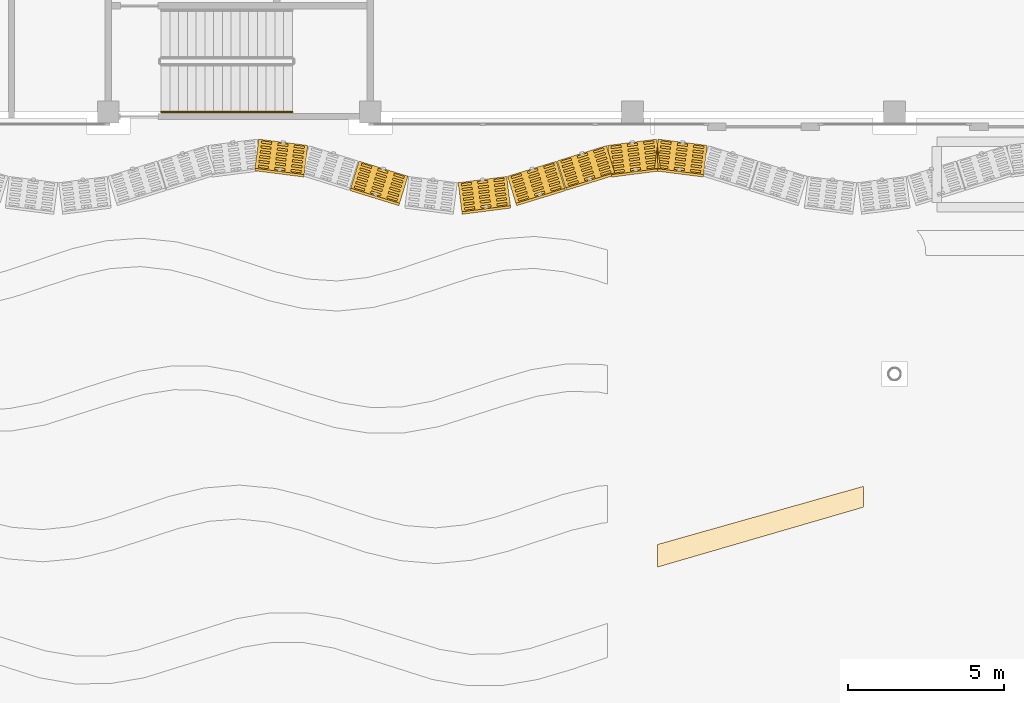
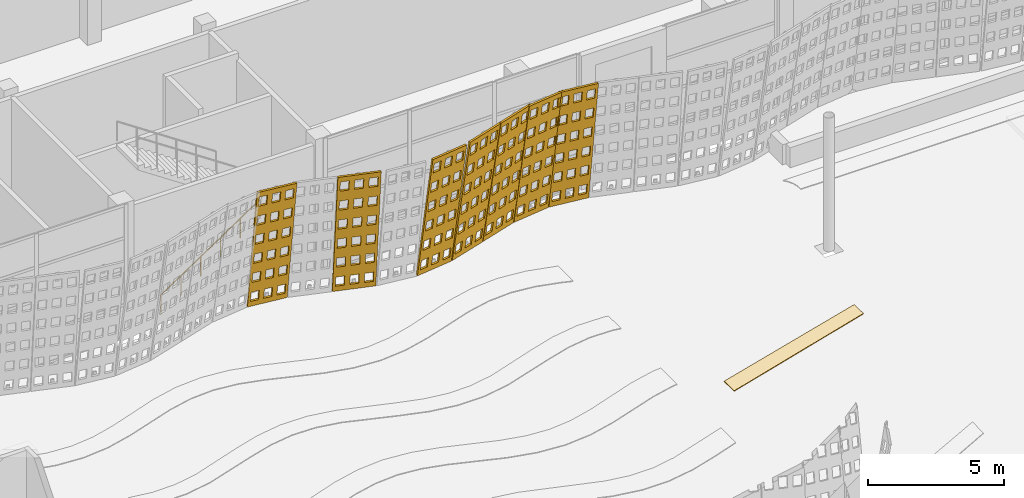
# One storey, part 169 of 210: 8 coverings, 1 railing.
"""IFC4 building model written with IfcOpenShell, lengths in metres."""

from ifc_helpers import new_model, si_unit, direction, frame, origin, origin_2d, place, context, subcontext, project, spatial, polyline, circle, outline, extrude, material, layer, layer_set, type_object, element, save


model = new_model("IFC4")

# Units and contexts
model_context = context("Model", 3, precision=1e-05, world=origin(), true_north=direction((0.0, 1.0)))
body_context = subcontext(model_context, "Body", "Model", "MODEL_VIEW")
ifc_project = project(units=[si_unit("LENGTHUNIT", "METRE"), si_unit("AREAUNIT", "SQUARE_METRE"), si_unit("VOLUMEUNIT", "CUBIC_METRE"), si_unit("PLANEANGLEUNIT", "RADIAN"), si_unit("MASSUNIT", "GRAM", prefix="KILO")], contexts=[model_context])

# Site, building, storey
site_placement = place(None, origin())
site = spatial("IfcSite", under=ifc_project, at=site_placement, CompositionType="ELEMENT")
building_placement = place(site_placement, origin())
building = spatial("IfcBuilding", under=site, at=building_placement, Name="Rain Tree Exposition and Congress Centre", CompositionType="ELEMENT")
storey_placement = place(building_placement, origin())
storey = spatial("IfcBuildingStorey", under=building, at=storey_placement, Name="L00", CompositionType="ELEMENT", Elevation=0.0)

# Railing
ifc_material_1 = material(Name="Aluminium handrail", Category="aluminium")
railing_type = type_object("IfcRailingType", Name="Concourse handrail 900", PredefinedType="HANDRAIL", material=ifc_material_1)
railing_placement = place(storey_placement, frame((35.300048828125, 75.60009765625, 0.1875)))
element("IfcRailing", 1, at=railing_placement, inside=storey, type_object=railing_type, Name="L00 ST-C1 stair handrail 1", PredefinedType="HANDRAIL", context=body_context, shape_type="SweptSolid", body=[
    extrude(circle(Radius=0.02392578125, at=origin_2d()), frame((0.0, 0.0, 0.8759765625), z_axis=(0.830904186295, 0.0, 0.556415522067), x_axis=(0.0, 1.0, 0.0)), (0.0, 0.0, 1.0), 5.0546875),
    extrude(circle(Radius=0.02099609375, at=origin_2d()), origin(), (0.0, 0.0, 1.0), 0.851806640625),
    extrude(circle(Radius=0.02099609375, at=origin_2d()), frame((0.840087890625, 0.0, 0.5625)), (0.0, 0.0, 1.0), 0.851806640625),
    extrude(circle(Radius=0.02099609375, at=origin_2d()), frame((1.679931640625, 0.0, 1.125)), (0.0, 0.0, 1.0), 0.851806640625),
    extrude(circle(Radius=0.02099609375, at=origin_2d()), frame((2.52001953125, 0.0, 1.6875)), (0.0, 0.0, 1.0), 0.851806640625),
    extrude(circle(Radius=0.02099609375, at=origin_2d()), frame((3.35986328125, 0.0, 2.25)), (0.0, 0.0, 1.0), 0.851806640625),
    extrude(circle(Radius=0.02099609375, at=origin_2d()), frame((4.199951171875, 0.0, 2.8125)), (0.0, 0.0, 1.0), 0.851806640625),
])

# Coverings
ifc_material_2 = material(Name="Granite paving", Category="masonry")
ifc_layer_1 = layer(ifc_material_2, 0.030029296875)
ifc_layer_set_1 = layer_set([ifc_layer_1], Name="Granite paving")
covering_type_1 = type_object("IfcCoveringType", Name="Granite paving inlay 30", PredefinedType="FLOORING", material=ifc_layer_set_1)
covering_1_placement = place(storey_placement, origin())
element("IfcCovering", 2, at=covering_1_placement, inside=storey, type_object=covering_type_1, Name="Granite paving inlay 1", PredefinedType="FLOORING", context=body_context, shape_type="SweptSolid", body=[
    extrude(outline(polyline([(57.800048828125, 62.935791015625), (57.800048828125, 63.603271484375), (51.199951171875, 61.738525390625), (51.199951171875, 61.015625), (55.404296875, 62.23876953125), (57.800048828125, 62.935791015625)])), origin(), (0.0, 0.0, 1.0), 0.030029296875),
])
ifc_material_3 = material(Name="Perforated terracotta", Category="masonry")
ifc_layer_2 = layer(ifc_material_3, 0.080078125)
ifc_layer_set_2 = layer_set([ifc_layer_2], Name="Perforated terracotta")
covering_type_2 = type_object("IfcCoveringType", Name="Terracotta screen 80", PredefinedType="CLADDING", material=ifc_layer_set_2)
covering_2_placement = place(storey_placement, frame((38.39990234375, 74.64990234375, 0.0), z_axis=(0.125030801275, 0.978899688033, 0.161625182136), x_axis=(-0.991941518713, 0.126696580272, 0.0)))
element("IfcCovering", 3, at=covering_2_placement, inside=storey, type_object=covering_type_2, Name="concourse/screen/L00/025", PredefinedType="CLADDING", context=body_context, shape_type="SweptSolid", body=[
    extrude(outline(polyline([(-0.014892578125, 0.0), (-1.59814453125, 0.0), (-1.59814453125, 5.813720703125), (-0.014892578125, 5.813720703125), (-0.014892578125, 0.0)]), holes=[polyline([(-0.115234375, 0.25), (-0.115234375, 0.718994140625), (-0.4423828125, 0.718994140625), (-0.4423828125, 0.25), (-0.115234375, 0.25)]), polyline([(-0.115234375, 1.218994140625), (-0.115234375, 1.687744140625), (-0.4423828125, 1.687744140625), (-0.4423828125, 1.218994140625), (-0.115234375, 1.218994140625)]), polyline([(-0.115234375, 2.18798828125), (-0.115234375, 2.65673828125), (-0.4423828125, 2.65673828125), (-0.4423828125, 2.18798828125), (-0.115234375, 2.18798828125)]), polyline([(-0.115234375, 3.156982421875), (-0.115234375, 3.625732421875), (-0.4423828125, 3.625732421875), (-0.4423828125, 3.156982421875), (-0.115234375, 3.156982421875)]), polyline([(-0.115234375, 4.125732421875), (-0.115234375, 4.594482421875), (-0.4423828125, 4.594482421875), (-0.4423828125, 4.125732421875), (-0.115234375, 4.125732421875)]), polyline([(-0.115234375, 5.0947265625), (-0.115234375, 5.563720703125), (-0.4423828125, 5.563720703125), (-0.4423828125, 5.0947265625), (-0.115234375, 5.0947265625)]), polyline([(-0.64306640625, 0.25), (-0.64306640625, 0.718994140625), (-0.97021484375, 0.718994140625), (-0.97021484375, 0.25), (-0.64306640625, 0.25)]), polyline([(-0.64306640625, 1.218994140625), (-0.64306640625, 1.687744140625), (-0.97021484375, 1.687744140625), (-0.97021484375, 1.218994140625), (-0.64306640625, 1.218994140625)]), polyline([(-0.64306640625, 2.18798828125), (-0.64306640625, 2.65673828125), (-0.97021484375, 2.65673828125), (-0.97021484375, 2.18798828125), (-0.64306640625, 2.18798828125)]), polyline([(-0.64306640625, 3.156982421875), (-0.64306640625, 3.625732421875), (-0.97021484375, 3.625732421875), (-0.97021484375, 3.156982421875), (-0.64306640625, 3.156982421875)]), polyline([(-0.64306640625, 4.125732421875), (-0.64306640625, 4.594482421875), (-0.97021484375, 4.594482421875), (-0.97021484375, 4.125732421875), (-0.64306640625, 4.125732421875)]), polyline([(-0.64306640625, 5.0947265625), (-0.64306640625, 5.563720703125), (-0.97021484375, 5.563720703125), (-0.97021484375, 5.0947265625), (-0.64306640625, 5.0947265625)]), polyline([(-1.170654296875, 0.25), (-1.170654296875, 0.718994140625), (-1.497802734375, 0.718994140625), (-1.497802734375, 0.25), (-1.170654296875, 0.25)]), polyline([(-1.170654296875, 1.218994140625), (-1.170654296875, 1.687744140625), (-1.497802734375, 1.687744140625), (-1.497802734375, 1.218994140625), (-1.170654296875, 1.218994140625)]), polyline([(-1.170654296875, 2.18798828125), (-1.170654296875, 2.65673828125), (-1.497802734375, 2.65673828125), (-1.497802734375, 2.18798828125), (-1.170654296875, 2.18798828125)]), polyline([(-1.170654296875, 3.156982421875), (-1.170654296875, 3.625732421875), (-1.497802734375, 3.625732421875), (-1.497802734375, 3.156982421875), (-1.170654296875, 3.156982421875)]), polyline([(-1.170654296875, 4.125732421875), (-1.170654296875, 4.594482421875), (-1.497802734375, 4.594482421875), (-1.497802734375, 4.125732421875), (-1.170654296875, 4.125732421875)]), polyline([(-1.170654296875, 5.0947265625), (-1.170654296875, 5.563720703125), (-1.497802734375, 5.563720703125), (-1.497802734375, 5.0947265625), (-1.170654296875, 5.0947265625)])]), origin(), (0.0, 0.0, 1.0), 0.080078125),
])
covering_3_placement = place(storey_placement, frame((41.60009765625, 73.949951171875, 0.0), z_axis=(0.290278371326, 0.94416859726, 0.155833651975), x_axis=(-0.955845867297, 0.293868470528, 0.0)))
element("IfcCovering", 4, at=covering_3_placement, inside=storey, type_object=covering_type_2, Name="concourse/screen/L00/027", PredefinedType="CLADDING", context=body_context, shape_type="SweptSolid", body=[
    extrude(outline(polyline([(-0.014892578125, 0.0), (-1.65283203125, 0.0), (-1.65283203125, 5.80859375), (-0.014892578125, 5.80859375), (-0.014892578125, 0.0)]), holes=[polyline([(-0.11865234375, 0.249755859375), (-0.11865234375, 0.71826171875), (-0.457275390625, 0.71826171875), (-0.457275390625, 0.249755859375), (-0.11865234375, 0.249755859375)]), polyline([(-0.11865234375, 1.218017578125), (-0.11865234375, 1.686279296875), (-0.457275390625, 1.686279296875), (-0.457275390625, 1.218017578125), (-0.11865234375, 1.218017578125)]), polyline([(-0.11865234375, 2.18603515625), (-0.11865234375, 2.654541015625), (-0.457275390625, 2.654541015625), (-0.457275390625, 2.18603515625), (-0.11865234375, 2.18603515625)]), polyline([(-0.11865234375, 3.154052734375), (-0.11865234375, 3.62255859375), (-0.457275390625, 3.62255859375), (-0.457275390625, 3.154052734375), (-0.11865234375, 3.154052734375)]), polyline([(-0.11865234375, 4.122314453125), (-0.11865234375, 4.5908203125), (-0.457275390625, 4.5908203125), (-0.457275390625, 4.122314453125), (-0.11865234375, 4.122314453125)]), polyline([(-0.11865234375, 5.09033203125), (-0.11865234375, 5.558837890625), (-0.457275390625, 5.558837890625), (-0.457275390625, 5.09033203125), (-0.11865234375, 5.09033203125)]), polyline([(-0.664794921875, 0.249755859375), (-0.664794921875, 0.71826171875), (-1.003173828125, 0.71826171875), (-1.003173828125, 0.249755859375), (-0.664794921875, 0.249755859375)]), polyline([(-0.664794921875, 1.218017578125), (-0.664794921875, 1.686279296875), (-1.003173828125, 1.686279296875), (-1.003173828125, 1.218017578125), (-0.664794921875, 1.218017578125)]), polyline([(-0.664794921875, 2.18603515625), (-0.664794921875, 2.654541015625), (-1.003173828125, 2.654541015625), (-1.003173828125, 2.18603515625), (-0.664794921875, 2.18603515625)]), polyline([(-0.664794921875, 3.154052734375), (-0.664794921875, 3.62255859375), (-1.003173828125, 3.62255859375), (-1.003173828125, 3.154052734375), (-0.664794921875, 3.154052734375)]), polyline([(-0.664794921875, 4.122314453125), (-0.664794921875, 4.5908203125), (-1.003173828125, 4.5908203125), (-1.003173828125, 4.122314453125), (-0.664794921875, 4.122314453125)]), polyline([(-0.664794921875, 5.09033203125), (-0.664794921875, 5.558837890625), (-1.003173828125, 5.558837890625), (-1.003173828125, 5.09033203125), (-0.664794921875, 5.09033203125)]), polyline([(-1.210693359375, 0.249755859375), (-1.210693359375, 0.71826171875), (-1.54931640625, 0.71826171875), (-1.54931640625, 0.249755859375), (-1.210693359375, 0.249755859375)]), polyline([(-1.210693359375, 1.218017578125), (-1.210693359375, 1.686279296875), (-1.54931640625, 1.686279296875), (-1.54931640625, 1.218017578125), (-1.210693359375, 1.218017578125)]), polyline([(-1.210693359375, 2.18603515625), (-1.210693359375, 2.654541015625), (-1.54931640625, 2.654541015625), (-1.54931640625, 2.18603515625), (-1.210693359375, 2.18603515625)]), polyline([(-1.210693359375, 3.154052734375), (-1.210693359375, 3.62255859375), (-1.54931640625, 3.62255859375), (-1.54931640625, 3.154052734375), (-1.210693359375, 3.154052734375)]), polyline([(-1.210693359375, 4.122314453125), (-1.210693359375, 4.5908203125), (-1.54931640625, 4.5908203125), (-1.54931640625, 4.122314453125), (-1.210693359375, 4.122314453125)]), polyline([(-1.210693359375, 5.09033203125), (-1.210693359375, 5.558837890625), (-1.54931640625, 5.558837890625), (-1.54931640625, 5.09033203125), (-1.210693359375, 5.09033203125)])]), origin(), (0.0, 0.0, 1.0), 0.079833984375),
])
covering_4_placement = place(storey_placement, frame((44.800048828125, 73.25, 0.0), z_axis=(-0.125030801275, 0.978899688033, 0.161625182136), x_axis=(-0.991941518713, -0.126696580272, 0.0)))
element("IfcCovering", 5, at=covering_4_placement, inside=storey, type_object=covering_type_2, Name="concourse/screen/L00/029", PredefinedType="CLADDING", context=body_context, shape_type="SweptSolid", body=[
    extrude(outline(polyline([(-0.025146484375, 0.0), (-1.59130859375, 0.0), (-1.59130859375, 5.813720703125), (-0.025146484375, 5.813720703125), (-0.025146484375, 0.0)]), holes=[polyline([(-0.12451171875, 0.25), (-0.12451171875, 0.718994140625), (-0.447998046875, 0.718994140625), (-0.447998046875, 0.25), (-0.12451171875, 0.25)]), polyline([(-0.12451171875, 1.218994140625), (-0.12451171875, 1.687744140625), (-0.447998046875, 1.687744140625), (-0.447998046875, 1.218994140625), (-0.12451171875, 1.218994140625)]), polyline([(-0.12451171875, 2.18798828125), (-0.12451171875, 2.65673828125), (-0.447998046875, 2.65673828125), (-0.447998046875, 2.18798828125), (-0.12451171875, 2.18798828125)]), polyline([(-0.12451171875, 3.156982421875), (-0.12451171875, 3.625732421875), (-0.447998046875, 3.625732421875), (-0.447998046875, 3.156982421875), (-0.12451171875, 3.156982421875)]), polyline([(-0.12451171875, 4.125732421875), (-0.12451171875, 4.594482421875), (-0.447998046875, 4.594482421875), (-0.447998046875, 4.125732421875), (-0.12451171875, 4.125732421875)]), polyline([(-0.12451171875, 5.0947265625), (-0.12451171875, 5.563720703125), (-0.447998046875, 5.563720703125), (-0.447998046875, 5.0947265625), (-0.12451171875, 5.0947265625)]), polyline([(-0.646484375, 0.25), (-0.646484375, 0.718994140625), (-0.969970703125, 0.718994140625), (-0.969970703125, 0.25), (-0.646484375, 0.25)]), polyline([(-0.646484375, 1.218994140625), (-0.646484375, 1.687744140625), (-0.969970703125, 1.687744140625), (-0.969970703125, 1.218994140625), (-0.646484375, 1.218994140625)]), polyline([(-0.646484375, 2.18798828125), (-0.646484375, 2.65673828125), (-0.969970703125, 2.65673828125), (-0.969970703125, 2.18798828125), (-0.646484375, 2.18798828125)]), polyline([(-0.646484375, 3.156982421875), (-0.646484375, 3.625732421875), (-0.969970703125, 3.625732421875), (-0.969970703125, 3.156982421875), (-0.646484375, 3.156982421875)]), polyline([(-0.646484375, 4.125732421875), (-0.646484375, 4.594482421875), (-0.969970703125, 4.594482421875), (-0.969970703125, 4.125732421875), (-0.646484375, 4.125732421875)]), polyline([(-0.646484375, 5.0947265625), (-0.646484375, 5.563720703125), (-0.969970703125, 5.563720703125), (-0.969970703125, 5.0947265625), (-0.646484375, 5.0947265625)]), polyline([(-1.16845703125, 0.25), (-1.16845703125, 0.718994140625), (-1.491943359375, 0.718994140625), (-1.491943359375, 0.25), (-1.16845703125, 0.25)]), polyline([(-1.16845703125, 1.218994140625), (-1.16845703125, 1.687744140625), (-1.491943359375, 1.687744140625), (-1.491943359375, 1.218994140625), (-1.16845703125, 1.218994140625)]), polyline([(-1.16845703125, 2.18798828125), (-1.16845703125, 2.65673828125), (-1.491943359375, 2.65673828125), (-1.491943359375, 2.18798828125), (-1.16845703125, 2.18798828125)]), polyline([(-1.16845703125, 3.156982421875), (-1.16845703125, 3.625732421875), (-1.491943359375, 3.625732421875), (-1.491943359375, 3.156982421875), (-1.16845703125, 3.156982421875)]), polyline([(-1.16845703125, 4.125732421875), (-1.16845703125, 4.594482421875), (-1.491943359375, 4.594482421875), (-1.491943359375, 4.125732421875), (-1.16845703125, 4.125732421875)]), polyline([(-1.16845703125, 5.0947265625), (-1.16845703125, 5.563720703125), (-1.491943359375, 5.563720703125), (-1.491943359375, 5.0947265625), (-1.16845703125, 5.0947265625)])]), origin(), (0.0, 0.0, 1.0), 0.080078125),
])
covering_5_placement = place(storey_placement, frame((46.39990234375, 73.455078125, 0.0), z_axis=(-0.290278371326, 0.94416859726, 0.155833651975), x_axis=(-0.955845867297, -0.293868470528, 0.0)))
element("IfcCovering", 6, at=covering_5_placement, inside=storey, type_object=covering_type_2, Name="concourse/screen/L00/030", PredefinedType="CLADDING", context=body_context, shape_type="SweptSolid", body=[
    extrude(outline(polyline([(-0.02197265625, 0.0), (-1.659912109375, 0.0), (-1.659912109375, 5.80859375), (-0.02197265625, 5.80859375), (-0.02197265625, 0.0)]), holes=[polyline([(-0.125732421875, 0.249755859375), (-0.125732421875, 0.71826171875), (-0.464111328125, 0.71826171875), (-0.464111328125, 0.249755859375), (-0.125732421875, 0.249755859375)]), polyline([(-0.125732421875, 1.218017578125), (-0.125732421875, 1.686279296875), (-0.464111328125, 1.686279296875), (-0.464111328125, 1.218017578125), (-0.125732421875, 1.218017578125)]), polyline([(-0.125732421875, 2.18603515625), (-0.125732421875, 2.654541015625), (-0.464111328125, 2.654541015625), (-0.464111328125, 2.18603515625), (-0.125732421875, 2.18603515625)]), polyline([(-0.125732421875, 3.154052734375), (-0.125732421875, 3.62255859375), (-0.464111328125, 3.62255859375), (-0.464111328125, 3.154052734375), (-0.125732421875, 3.154052734375)]), polyline([(-0.125732421875, 4.122314453125), (-0.125732421875, 4.5908203125), (-0.464111328125, 4.5908203125), (-0.464111328125, 4.122314453125), (-0.125732421875, 4.122314453125)]), polyline([(-0.125732421875, 5.09033203125), (-0.125732421875, 5.558837890625), (-0.464111328125, 5.558837890625), (-0.464111328125, 5.09033203125), (-0.125732421875, 5.09033203125)]), polyline([(-0.671630859375, 0.249755859375), (-0.671630859375, 0.71826171875), (-1.010009765625, 0.71826171875), (-1.010009765625, 0.249755859375), (-0.671630859375, 0.249755859375)]), polyline([(-0.671630859375, 1.218017578125), (-0.671630859375, 1.686279296875), (-1.010009765625, 1.686279296875), (-1.010009765625, 1.218017578125), (-0.671630859375, 1.218017578125)]), polyline([(-0.671630859375, 2.18603515625), (-0.671630859375, 2.654541015625), (-1.010009765625, 2.654541015625), (-1.010009765625, 2.18603515625), (-0.671630859375, 2.18603515625)]), polyline([(-0.671630859375, 3.154052734375), (-0.671630859375, 3.62255859375), (-1.010009765625, 3.62255859375), (-1.010009765625, 3.154052734375), (-0.671630859375, 3.154052734375)]), polyline([(-0.671630859375, 4.122314453125), (-0.671630859375, 4.5908203125), (-1.010009765625, 4.5908203125), (-1.010009765625, 4.122314453125), (-0.671630859375, 4.122314453125)]), polyline([(-0.671630859375, 5.09033203125), (-0.671630859375, 5.558837890625), (-1.010009765625, 5.558837890625), (-1.010009765625, 5.09033203125), (-0.671630859375, 5.09033203125)]), polyline([(-1.217529296875, 0.249755859375), (-1.217529296875, 0.71826171875), (-1.55615234375, 0.71826171875), (-1.55615234375, 0.249755859375), (-1.217529296875, 0.249755859375)]), polyline([(-1.217529296875, 1.218017578125), (-1.217529296875, 1.686279296875), (-1.55615234375, 1.686279296875), (-1.55615234375, 1.218017578125), (-1.217529296875, 1.218017578125)]), polyline([(-1.217529296875, 2.18603515625), (-1.217529296875, 2.654541015625), (-1.55615234375, 2.654541015625), (-1.55615234375, 2.18603515625), (-1.217529296875, 2.18603515625)]), polyline([(-1.217529296875, 3.154052734375), (-1.217529296875, 3.62255859375), (-1.55615234375, 3.62255859375), (-1.55615234375, 3.154052734375), (-1.217529296875, 3.154052734375)]), polyline([(-1.217529296875, 4.122314453125), (-1.217529296875, 4.5908203125), (-1.55615234375, 4.5908203125), (-1.55615234375, 4.122314453125), (-1.217529296875, 4.122314453125)]), polyline([(-1.217529296875, 5.09033203125), (-1.217529296875, 5.558837890625), (-1.55615234375, 5.558837890625), (-1.55615234375, 5.09033203125), (-1.217529296875, 5.09033203125)])]), origin(), (0.0, 0.0, 1.0), 0.079833984375),
])
covering_6_placement = place(storey_placement, frame((48.0, 73.949951171875, 0.0), z_axis=(-0.293072736571, 0.943327870838, 0.155694891303), x_axis=(-0.954973588716, -0.296690823679, 0.0)))
element("IfcCovering", 7, at=covering_6_placement, inside=storey, type_object=covering_type_2, Name="concourse/screen/L00/031", PredefinedType="CLADDING", context=body_context, shape_type="SweptSolid", body=[
    extrude(outline(polyline([(-0.014892578125, 0.0), (-1.659912109375, 0.0), (-1.659912109375, 5.80859375), (-0.014892578125, 5.80859375), (-0.014892578125, 0.0)]), holes=[polyline([(-0.119140625, 0.249755859375), (-0.119140625, 0.71826171875), (-0.458984375, 0.71826171875), (-0.458984375, 0.249755859375), (-0.119140625, 0.249755859375)]), polyline([(-0.119140625, 1.218017578125), (-0.119140625, 1.686279296875), (-0.458984375, 1.686279296875), (-0.458984375, 1.218017578125), (-0.119140625, 1.218017578125)]), polyline([(-0.119140625, 2.18603515625), (-0.119140625, 2.654541015625), (-0.458984375, 2.654541015625), (-0.458984375, 2.18603515625), (-0.119140625, 2.18603515625)]), polyline([(-0.119140625, 3.154052734375), (-0.119140625, 3.62255859375), (-0.458984375, 3.62255859375), (-0.458984375, 3.154052734375), (-0.119140625, 3.154052734375)]), polyline([(-0.119140625, 4.122314453125), (-0.119140625, 4.5908203125), (-0.458984375, 4.5908203125), (-0.458984375, 4.122314453125), (-0.119140625, 4.122314453125)]), polyline([(-0.119140625, 5.09033203125), (-0.119140625, 5.558837890625), (-0.458984375, 5.558837890625), (-0.458984375, 5.09033203125), (-0.119140625, 5.09033203125)]), polyline([(-0.66748046875, 0.249755859375), (-0.66748046875, 0.71826171875), (-1.00732421875, 0.71826171875), (-1.00732421875, 0.249755859375), (-0.66748046875, 0.249755859375)]), polyline([(-0.66748046875, 1.218017578125), (-0.66748046875, 1.686279296875), (-1.00732421875, 1.686279296875), (-1.00732421875, 1.218017578125), (-0.66748046875, 1.218017578125)]), polyline([(-0.66748046875, 2.18603515625), (-0.66748046875, 2.654541015625), (-1.00732421875, 2.654541015625), (-1.00732421875, 2.18603515625), (-0.66748046875, 2.18603515625)]), polyline([(-0.66748046875, 3.154052734375), (-0.66748046875, 3.62255859375), (-1.00732421875, 3.62255859375), (-1.00732421875, 3.154052734375), (-0.66748046875, 3.154052734375)]), polyline([(-0.66748046875, 4.122314453125), (-0.66748046875, 4.5908203125), (-1.00732421875, 4.5908203125), (-1.00732421875, 4.122314453125), (-0.66748046875, 4.122314453125)]), polyline([(-0.66748046875, 5.09033203125), (-0.66748046875, 5.558837890625), (-1.00732421875, 5.558837890625), (-1.00732421875, 5.09033203125), (-0.66748046875, 5.09033203125)]), polyline([(-1.2158203125, 0.249755859375), (-1.2158203125, 0.71826171875), (-1.5556640625, 0.71826171875), (-1.5556640625, 0.249755859375), (-1.2158203125, 0.249755859375)]), polyline([(-1.2158203125, 1.218017578125), (-1.2158203125, 1.686279296875), (-1.5556640625, 1.686279296875), (-1.5556640625, 1.218017578125), (-1.2158203125, 1.218017578125)]), polyline([(-1.2158203125, 2.18603515625), (-1.2158203125, 2.654541015625), (-1.5556640625, 2.654541015625), (-1.5556640625, 2.18603515625), (-1.2158203125, 2.18603515625)]), polyline([(-1.2158203125, 3.154052734375), (-1.2158203125, 3.62255859375), (-1.5556640625, 3.62255859375), (-1.5556640625, 3.154052734375), (-1.2158203125, 3.154052734375)]), polyline([(-1.2158203125, 4.122314453125), (-1.2158203125, 4.5908203125), (-1.5556640625, 4.5908203125), (-1.5556640625, 4.122314453125), (-1.2158203125, 4.122314453125)]), polyline([(-1.2158203125, 5.09033203125), (-1.2158203125, 5.558837890625), (-1.5556640625, 5.558837890625), (-1.5556640625, 5.09033203125), (-1.2158203125, 5.09033203125)])]), origin(), (0.0, 0.0, 1.0), 0.080078125),
])
covering_7_placement = place(storey_placement, frame((49.60009765625, 74.445068359375, 0.0), z_axis=(-0.125405134464, 0.978771781185, 0.162109076259), x_axis=(-0.991891686382, -0.127086122318, 0.0)))
element("IfcCovering", 8, at=covering_7_placement, inside=storey, type_object=covering_type_2, Name="concourse/screen/L00/032", PredefinedType="CLADDING", context=body_context, shape_type="SweptSolid", body=[
    extrude(outline(polyline([(-0.014892578125, 0.0), (-1.59814453125, 0.0), (-1.59814453125, 5.813720703125), (-0.014892578125, 5.813720703125), (-0.014892578125, 0.0)]), holes=[polyline([(-0.115234375, 0.25), (-0.115234375, 0.718994140625), (-0.4423828125, 0.718994140625), (-0.4423828125, 0.25), (-0.115234375, 0.25)]), polyline([(-0.115234375, 1.218994140625), (-0.115234375, 1.687744140625), (-0.4423828125, 1.687744140625), (-0.4423828125, 1.218994140625), (-0.115234375, 1.218994140625)]), polyline([(-0.115234375, 2.18798828125), (-0.115234375, 2.65673828125), (-0.4423828125, 2.65673828125), (-0.4423828125, 2.18798828125), (-0.115234375, 2.18798828125)]), polyline([(-0.115234375, 3.156982421875), (-0.115234375, 3.625732421875), (-0.4423828125, 3.625732421875), (-0.4423828125, 3.156982421875), (-0.115234375, 3.156982421875)]), polyline([(-0.115234375, 4.125732421875), (-0.115234375, 4.594482421875), (-0.4423828125, 4.594482421875), (-0.4423828125, 4.125732421875), (-0.115234375, 4.125732421875)]), polyline([(-0.115234375, 5.0947265625), (-0.115234375, 5.563720703125), (-0.4423828125, 5.563720703125), (-0.4423828125, 5.0947265625), (-0.115234375, 5.0947265625)]), polyline([(-0.64306640625, 0.25), (-0.64306640625, 0.718994140625), (-0.97021484375, 0.718994140625), (-0.97021484375, 0.25), (-0.64306640625, 0.25)]), polyline([(-0.64306640625, 1.218994140625), (-0.64306640625, 1.687744140625), (-0.97021484375, 1.687744140625), (-0.97021484375, 1.218994140625), (-0.64306640625, 1.218994140625)]), polyline([(-0.64306640625, 2.18798828125), (-0.64306640625, 2.65673828125), (-0.97021484375, 2.65673828125), (-0.97021484375, 2.18798828125), (-0.64306640625, 2.18798828125)]), polyline([(-0.64306640625, 3.156982421875), (-0.64306640625, 3.625732421875), (-0.97021484375, 3.625732421875), (-0.97021484375, 3.156982421875), (-0.64306640625, 3.156982421875)]), polyline([(-0.64306640625, 4.125732421875), (-0.64306640625, 4.594482421875), (-0.97021484375, 4.594482421875), (-0.97021484375, 4.125732421875), (-0.64306640625, 4.125732421875)]), polyline([(-0.64306640625, 5.0947265625), (-0.64306640625, 5.563720703125), (-0.97021484375, 5.563720703125), (-0.97021484375, 5.0947265625), (-0.64306640625, 5.0947265625)]), polyline([(-1.170654296875, 0.25), (-1.170654296875, 0.718994140625), (-1.497802734375, 0.718994140625), (-1.497802734375, 0.25), (-1.170654296875, 0.25)]), polyline([(-1.170654296875, 1.218994140625), (-1.170654296875, 1.687744140625), (-1.497802734375, 1.687744140625), (-1.497802734375, 1.218994140625), (-1.170654296875, 1.218994140625)]), polyline([(-1.170654296875, 2.18798828125), (-1.170654296875, 2.65673828125), (-1.497802734375, 2.65673828125), (-1.497802734375, 2.18798828125), (-1.170654296875, 2.18798828125)]), polyline([(-1.170654296875, 3.156982421875), (-1.170654296875, 3.625732421875), (-1.497802734375, 3.625732421875), (-1.497802734375, 3.156982421875), (-1.170654296875, 3.156982421875)]), polyline([(-1.170654296875, 4.125732421875), (-1.170654296875, 4.594482421875), (-1.497802734375, 4.594482421875), (-1.497802734375, 4.125732421875), (-1.170654296875, 4.125732421875)]), polyline([(-1.170654296875, 5.0947265625), (-1.170654296875, 5.563720703125), (-1.497802734375, 5.563720703125), (-1.497802734375, 5.0947265625), (-1.170654296875, 5.0947265625)])]), origin(), (0.0, 0.0, 1.0), 0.079833984375),
])
covering_8_placement = place(storey_placement, frame((51.199951171875, 74.64990234375, 0.0), z_axis=(0.125030801275, 0.978899688033, 0.161625182136), x_axis=(-0.991941518713, 0.126696580272, 0.0)))
element("IfcCovering", 9, at=covering_8_placement, inside=storey, type_object=covering_type_2, Name="concourse/screen/L00/033", PredefinedType="CLADDING", context=body_context, shape_type="SweptSolid", body=[
    extrude(outline(polyline([(-0.014892578125, 0.0), (-1.59814453125, 0.0), (-1.59814453125, 5.813720703125), (-0.014892578125, 5.813720703125), (-0.014892578125, 0.0)]), holes=[polyline([(-0.115234375, 0.25), (-0.115234375, 0.718994140625), (-0.4423828125, 0.718994140625), (-0.4423828125, 0.25), (-0.115234375, 0.25)]), polyline([(-0.115234375, 1.218994140625), (-0.115234375, 1.687744140625), (-0.4423828125, 1.687744140625), (-0.4423828125, 1.218994140625), (-0.115234375, 1.218994140625)]), polyline([(-0.115234375, 2.18798828125), (-0.115234375, 2.65673828125), (-0.4423828125, 2.65673828125), (-0.4423828125, 2.18798828125), (-0.115234375, 2.18798828125)]), polyline([(-0.115234375, 3.156982421875), (-0.115234375, 3.625732421875), (-0.4423828125, 3.625732421875), (-0.4423828125, 3.156982421875), (-0.115234375, 3.156982421875)]), polyline([(-0.115234375, 4.125732421875), (-0.115234375, 4.594482421875), (-0.4423828125, 4.594482421875), (-0.4423828125, 4.125732421875), (-0.115234375, 4.125732421875)]), polyline([(-0.115234375, 5.0947265625), (-0.115234375, 5.563720703125), (-0.4423828125, 5.563720703125), (-0.4423828125, 5.0947265625), (-0.115234375, 5.0947265625)]), polyline([(-0.64306640625, 0.25), (-0.64306640625, 0.718994140625), (-0.97021484375, 0.718994140625), (-0.97021484375, 0.25), (-0.64306640625, 0.25)]), polyline([(-0.64306640625, 1.218994140625), (-0.64306640625, 1.687744140625), (-0.97021484375, 1.687744140625), (-0.97021484375, 1.218994140625), (-0.64306640625, 1.218994140625)]), polyline([(-0.64306640625, 2.18798828125), (-0.64306640625, 2.65673828125), (-0.97021484375, 2.65673828125), (-0.97021484375, 2.18798828125), (-0.64306640625, 2.18798828125)]), polyline([(-0.64306640625, 3.156982421875), (-0.64306640625, 3.625732421875), (-0.97021484375, 3.625732421875), (-0.97021484375, 3.156982421875), (-0.64306640625, 3.156982421875)]), polyline([(-0.64306640625, 4.125732421875), (-0.64306640625, 4.594482421875), (-0.97021484375, 4.594482421875), (-0.97021484375, 4.125732421875), (-0.64306640625, 4.125732421875)]), polyline([(-0.64306640625, 5.0947265625), (-0.64306640625, 5.563720703125), (-0.97021484375, 5.563720703125), (-0.97021484375, 5.0947265625), (-0.64306640625, 5.0947265625)]), polyline([(-1.170654296875, 0.25), (-1.170654296875, 0.718994140625), (-1.497802734375, 0.718994140625), (-1.497802734375, 0.25), (-1.170654296875, 0.25)]), polyline([(-1.170654296875, 1.218994140625), (-1.170654296875, 1.687744140625), (-1.497802734375, 1.687744140625), (-1.497802734375, 1.218994140625), (-1.170654296875, 1.218994140625)]), polyline([(-1.170654296875, 2.18798828125), (-1.170654296875, 2.65673828125), (-1.497802734375, 2.65673828125), (-1.497802734375, 2.18798828125), (-1.170654296875, 2.18798828125)]), polyline([(-1.170654296875, 3.156982421875), (-1.170654296875, 3.625732421875), (-1.497802734375, 3.625732421875), (-1.497802734375, 3.156982421875), (-1.170654296875, 3.156982421875)]), polyline([(-1.170654296875, 4.125732421875), (-1.170654296875, 4.594482421875), (-1.497802734375, 4.594482421875), (-1.497802734375, 4.125732421875), (-1.170654296875, 4.125732421875)]), polyline([(-1.170654296875, 5.0947265625), (-1.170654296875, 5.563720703125), (-1.497802734375, 5.563720703125), (-1.497802734375, 5.0947265625), (-1.170654296875, 5.0947265625)])]), origin(), (0.0, 0.0, 1.0), 0.080078125),
])

save(model, "model.ifc")
